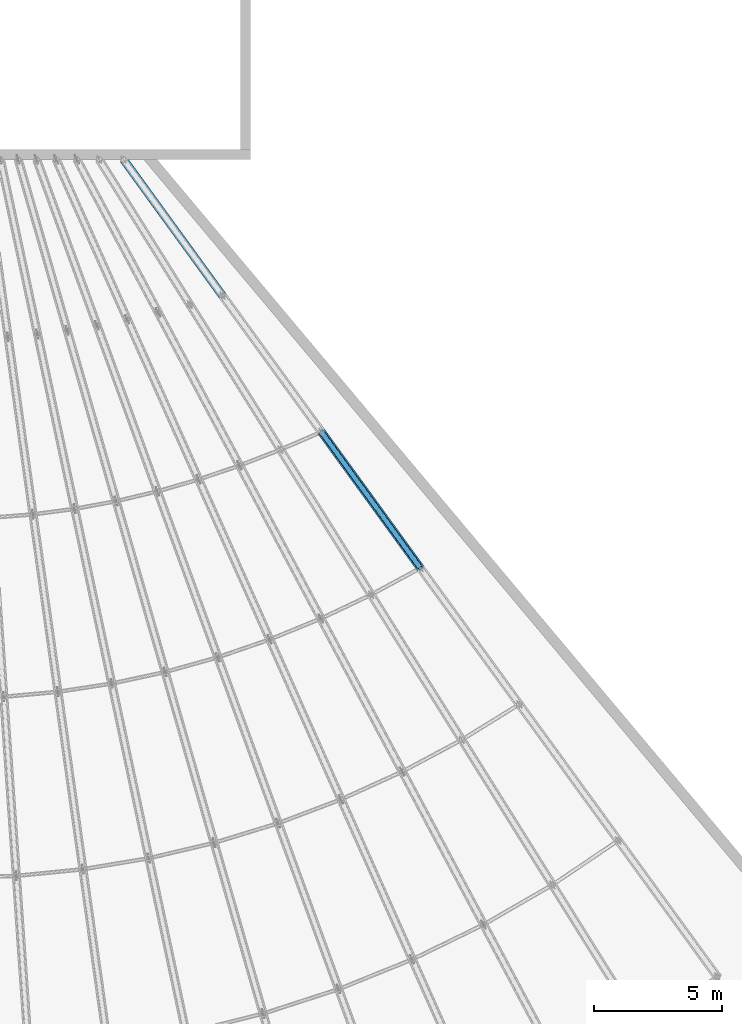
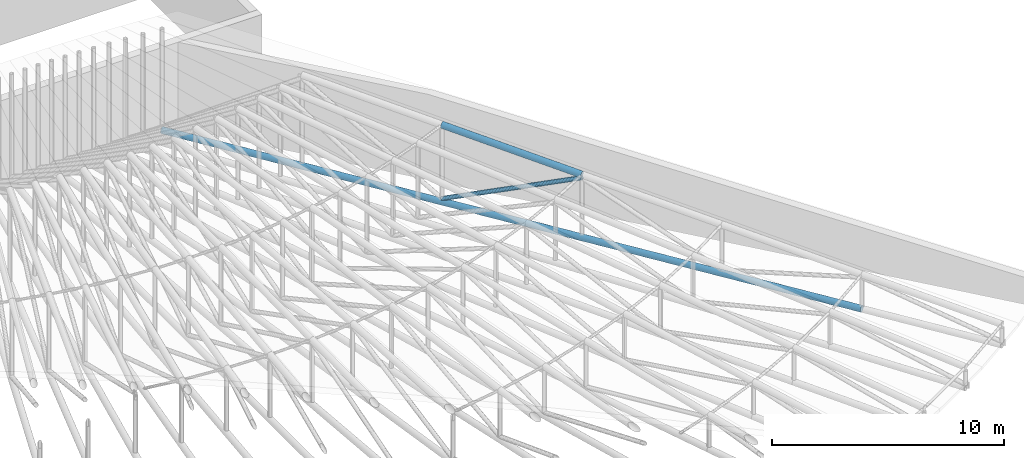
# One storey, part 42 of 163: 3 members.
"""IFC4 building model written with IfcOpenShell, lengths in metres."""

from ifc_helpers import new_model, si_unit, direction, frame, origin, origin_2d, place, context, subcontext, project, spatial, hollow_circle, extrude, material, material_profile, profile_set, type_object, element, save


model = new_model("IFC4")

# Units and contexts
model_context = context("Model", 3, precision=1e-05, world=origin(), true_north=direction((0.0, 1.0)))
body_context = subcontext(model_context, "Body", "Model", "MODEL_VIEW")
ifc_project = project(units=[si_unit("LENGTHUNIT", "METRE"), si_unit("AREAUNIT", "SQUARE_METRE"), si_unit("VOLUMEUNIT", "CUBIC_METRE"), si_unit("PLANEANGLEUNIT", "RADIAN"), si_unit("MASSUNIT", "GRAM", prefix="KILO")], contexts=[model_context])

# Site, building, storey
site_placement = place(None, origin())
site = spatial("IfcSite", under=ifc_project, at=site_placement, CompositionType="ELEMENT")
building_placement = place(site_placement, origin())
building = spatial("IfcBuilding", under=site, at=building_placement, Name="Rain Tree Exposition and Congress Centre", CompositionType="ELEMENT")
storey_placement = place(building_placement, frame((0.0, 0.0, 10.5)))
storey = spatial("IfcBuildingStorey", under=building, at=storey_placement, Name="L02", CompositionType="ELEMENT", Elevation=10.5)

# Members
ifc_material_1 = material(Name="Steel S355J2H", Category="steel")
ifc_material_profile_1 = material_profile(ifc_material_1, hollow_circle(Radius=0.108154296875, WallThickness=0.008056640625, at=origin_2d()), Name="CHS 216x8")
ifc_profile_set_1 = profile_set([ifc_material_profile_1], Name="Steel S355J2H")
member_type_1 = type_object("IfcMemberType", Name="Steel brace member CHS 216x8", PredefinedType="BRACE", material=ifc_profile_set_1)
member_1_placement = place(storey_placement, frame((220.05810546875, 41.794677734375, 3.295166015625), z_axis=(-0.535805353947, 0.737453255455, -0.411187692788), x_axis=(-0.80900958585, -0.587795449117, 0.0)))
element("IfcMember", 1, at=member_1_placement, inside=storey, type_object=member_type_1, Name="TD19-4", PredefinedType="BRACE", context=body_context, shape_type="SweptSolid", body=[
    extrude(hollow_circle(Radius=0.108154296875, WallThickness=0.008056640625, at=origin_2d()), origin(), (0.0, 0.0, 1.0), 7.239013671875),
])
ifc_material_2 = material(Name="Steel S355J2H", Category="steel")
ifc_material_profile_2 = material_profile(ifc_material_2, hollow_circle(Radius=0.1591796875, WallThickness=0.010009765625, at=origin_2d()), Name="CHS 318x10")
ifc_profile_set_2 = profile_set([ifc_material_profile_2], Name="Steel S355J2H")
member_type_2 = type_object("IfcMemberType", Name="Steel chord member CHS 318x10", PredefinedType="CHORD", material=ifc_profile_set_2)
member_2_placement = place(storey_placement, frame((227.815185546875, 31.117919921875, 0.1591796875), z_axis=(-0.587787087222, 0.809015661217, 0.0), x_axis=(-0.809015661217, -0.587787087222, 0.0)))
element("IfcMember", 2, at=member_2_placement, inside=storey, type_object=member_type_2, Name="TC19-2", PredefinedType="CHORD", context=body_context, shape_type="SweptSolid", body=[
    extrude(hollow_circle(Radius=0.1591796875, WallThickness=0.010009765625, at=origin_2d()), origin(), (0.0, 0.0, 1.0), 32.993408203125),
])
member_3_placement = place(storey_placement, frame((220.05810546875, 41.794677734375, 3.456298828125), z_axis=(-0.584112335372, 0.803940349043, 0.111770724462), x_axis=(-0.80900958585, -0.587795449117, 0.0)))
element("IfcMember", 3, at=member_3_placement, inside=storey, type_object=member_type_2, Name="TT19-4", PredefinedType="CHORD", context=body_context, shape_type="SweptSolid", body=[
    extrude(hollow_circle(Radius=0.1591796875, WallThickness=0.010009765625, at=origin_2d()), origin(), (0.0, 0.0, 1.0), 6.640380859375),
])

save(model, "model.ifc")
